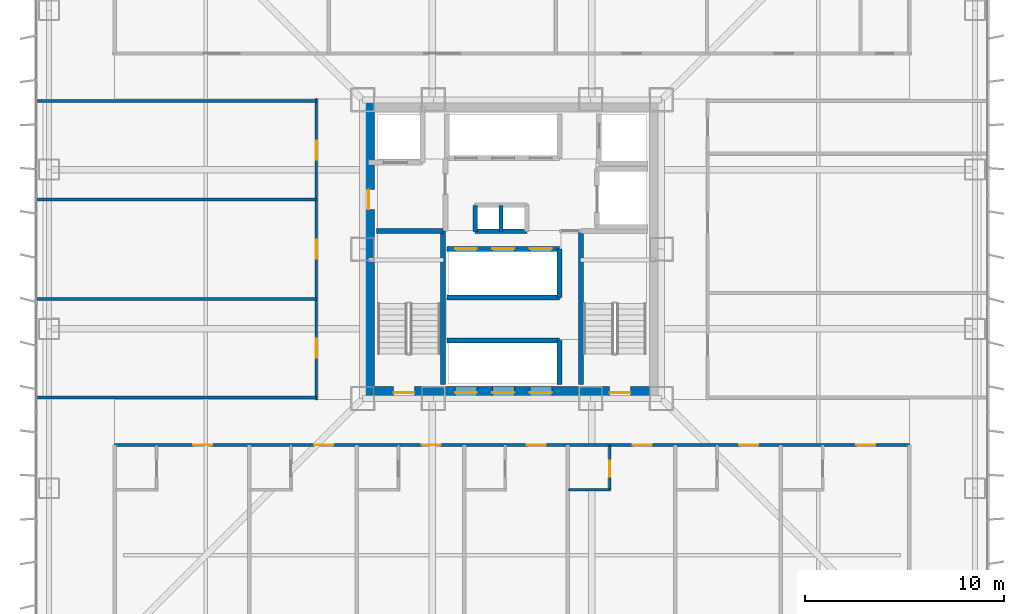
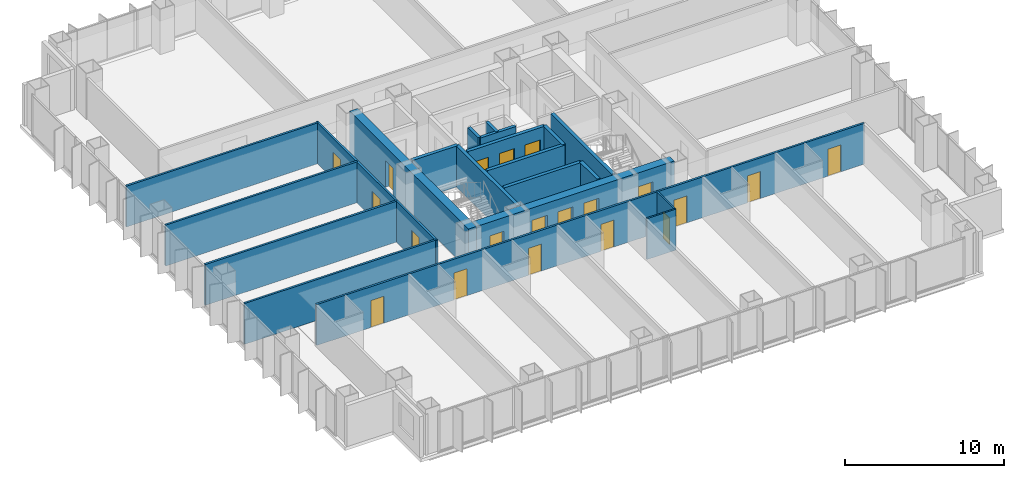
# One storey, part 14 of 19: 21 walls, 20 doors, 20 openings.
"""IFC4 building model written with IfcOpenShell, lengths in metres."""

from ifc_helpers import new_model, si_unit, direction, frame, frame_2d, origin, place, context, subcontext, project, spatial, rectangle, extrude, material, layer, layer_set, type_object, element, fill, save


model = new_model("IFC4")

# Units and contexts
model_context = context("Model", 3, precision=1e-05, world=origin(), true_north=direction((0.0, 1.0)))
body_context = subcontext(model_context, "Body", "Model", "MODEL_VIEW")
ifc_project = project(units=[si_unit("LENGTHUNIT", "METRE"), si_unit("AREAUNIT", "SQUARE_METRE"), si_unit("VOLUMEUNIT", "CUBIC_METRE"), si_unit("PLANEANGLEUNIT", "RADIAN"), si_unit("MASSUNIT", "GRAM", prefix="KILO")], contexts=[model_context])

# Site, building, storey
site_placement = place(None, origin())
site = spatial("IfcSite", under=ifc_project, at=site_placement, CompositionType="ELEMENT")
building_placement = place(site_placement, origin())
building = spatial("IfcBuilding", under=site, at=building_placement, Name="Trevonay Congress Spire", CompositionType="ELEMENT")
storey_placement = place(building_placement, frame((0.0, 0.0, 79.5)))
storey = spatial("IfcBuildingStorey", under=building, at=storey_placement, Name="L20", CompositionType="ELEMENT", Elevation=79.5)

# Wall, opening, door
ifc_material_1 = material(Name="Concrete C40/50", Category="concrete")
ifc_layer_1 = layer(ifc_material_1, 0.1201171875, Name="Concrete C40/50")
ifc_layer_set_1 = layer_set([ifc_layer_1], Name="Concrete C40/50")
wall_type_1 = type_object("IfcWallType", Name="WAL-BATH-120", PredefinedType="PLUMBINGWALL", material=ifc_layer_set_1)
wall_1_placement = place(storey_placement, frame((4.89990234375, -12.080078125, 0.0), z_axis=(0.0, 0.0, 1.0), x_axis=(0.0, 1.0, 0.0)))
wall_1 = element("IfcWall", 1, at=wall_1_placement, inside=storey, type_object=wall_type_1, Name="L20 interior wall WH-L20S-BS5", PredefinedType="PLUMBINGWALL", context=body_context, shape_type="SweptSolid", body=[
    extrude(rectangle(XDim=2.25, YDim=0.1201171875, at=frame_2d((1.125, 0.0))), origin(), (0.0, 0.0, 1.0), 3.14990234375),
])
opening_1_placement = place(wall_1_placement, frame((0.64990234375, 0.0, 0.0)))
opening_1 = element("IfcOpeningElement", 2, at=opening_1_placement, cuts=wall_1, Name="Opening D11", PredefinedType="OPENING", context=body_context, shape_type="SweptSolid", body=[
    extrude(rectangle(XDim=0.800048828125, YDim=2.050048828125, at=frame_2d((0.39990234375, 1.02490234375))), frame((0.0, 0.070068359375, 0.0), z_axis=(0.0, -1.0, 0.0), x_axis=(1.0, 0.0, 0.0)), (0.0, 0.0, 1.0), 0.14013671875),
])
ifc_material_2 = material(Name="Pale Anodised Aluminium EN AW-6063-T6", Category="aluminium")
door_type_1 = type_object("IfcDoorType", Name="DOR-BATH-80", OperationType="NOTDEFINED", PredefinedType="DOOR", material=ifc_material_2)
door_1_placement = place(opening_1_placement, origin())
door_1 = element("IfcDoor", 3, at=door_1_placement, inside=storey, type_object=door_type_1, Name="L20 En-suite Bathroom Door", OperationType="SINGLE_SWING_LEFT", OverallHeight=2.050048828125, OverallWidth=0.800048828125, PredefinedType="DOOR", context=body_context, shape_type="SweptSolid", body=[
    extrude(rectangle(XDim=0.800048828125, YDim=2.050048828125, at=frame_2d((0.39990234375, 1.02490234375))), frame((0.0, 0.02490234375, 0.0), z_axis=(0.0, -1.0, 0.0), x_axis=(1.0, 0.0, 0.0)), (0.0, 0.0, 1.0), 0.050048828125),
])
fill(opening_1, door_1)

# Wall
wall_2_placement = place(storey_placement, frame((2.830078125, -12.080078125, 0.0), z_axis=(0.0, 0.0, 1.0), x_axis=(1.0, 0.0, 0.0)))
element("IfcWall", 4, at=wall_2_placement, inside=storey, type_object=wall_type_1, Name="L20 interior wall WH-L20S-BF5", PredefinedType="PLUMBINGWALL", context=body_context, shape_type="SweptSolid", body=[
    extrude(rectangle(XDim=2.099853515625, YDim=0.1201171875, at=frame_2d((1.0498046875, 0.0))), origin(), (0.0, 0.0, 1.0), 3.14990234375),
])

# Wall, openings, doors
ifc_material_3 = material(Name="Concrete C60/75", Category="concrete")
ifc_layer_2 = layer(ifc_material_3, 0.60009765625, Name="Concrete C60/75")
ifc_layer_set_2 = layer_set([ifc_layer_2], Name="Concrete C60/75")
wall_type_2 = type_object("IfcWallType", Name="WAL-CORE-600", PredefinedType="SHEAR", material=ifc_layer_set_2)
wall_3_placement = place(storey_placement, frame((-7.5, -7.199951171875, 0.0), z_axis=(0.0, 0.0, 1.0), x_axis=(1.0, 0.0, 0.0)))
wall_3 = element("IfcWall", 5, at=wall_3_placement, inside=storey, type_object=wall_type_2, Name="L20 South structural core shear wall", PredefinedType="SHEAR", context=body_context, shape_type="SweptSolid", body=[
    extrude(rectangle(XDim=15.0, YDim=0.60009765625, at=frame_2d((7.5, 0.0))), origin(), (0.0, 0.0, 1.0), 3.14990234375),
])
opening_2_placement = place(wall_3_placement, frame((1.550048828125, 0.0, 0.0)))
opening_2 = element("IfcOpeningElement", 6, at=opening_2_placement, cuts=wall_3, Name="Opening D05", PredefinedType="OPENING", context=body_context, shape_type="SweptSolid", body=[
    extrude(rectangle(XDim=1.050048828125, YDim=2.080078125, at=frame_2d((0.52490234375, 1.0400390625))), frame((0.0, 0.31005859375, 0.0), z_axis=(0.0, -1.0, 0.0), x_axis=(1.0, 0.0, 0.0)), (0.0, 0.0, 1.0), 0.6201171875),
])
opening_3_placement = place(wall_3_placement, frame((12.39990234375, 0.0, 0.0)))
opening_3 = element("IfcOpeningElement", 7, at=opening_3_placement, cuts=wall_3, Name="Opening D05", PredefinedType="OPENING", context=body_context, shape_type="SweptSolid", body=[
    extrude(rectangle(XDim=1.050048828125, YDim=2.080078125, at=frame_2d((0.52490234375, 1.0400390625))), frame((0.0, 0.31005859375, 0.0), z_axis=(0.0, -1.0, 0.0), x_axis=(1.0, 0.0, 0.0)), (0.0, 0.0, 1.0), 0.6201171875),
])
opening_4_placement = place(wall_3_placement, frame((4.639892578125, 0.0, 0.0)))
opening_4 = element("IfcOpeningElement", 8, at=opening_4_placement, cuts=wall_3, Name="Opening LD01", PredefinedType="OPENING", context=body_context, shape_type="SweptSolid", body=[
    extrude(rectangle(XDim=1.10009765625, YDim=2.199951171875, at=frame_2d((0.550048828125, 1.10009765625))), frame((0.0, 0.31005859375, 0.0), z_axis=(0.0, -1.0, 0.0), x_axis=(1.0, 0.0, 0.0)), (0.0, 0.0, 1.0), 0.6201171875),
])
opening_5_placement = place(wall_3_placement, frame((6.52001953125, 0.0, 0.0)))
opening_5 = element("IfcOpeningElement", 9, at=opening_5_placement, cuts=wall_3, Name="Opening LD01", PredefinedType="OPENING", context=body_context, shape_type="SweptSolid", body=[
    extrude(rectangle(XDim=1.10009765625, YDim=2.199951171875, at=frame_2d((0.550048828125, 1.10009765625))), frame((0.0, 0.31005859375, 0.0), z_axis=(0.0, -1.0, 0.0), x_axis=(1.0, 0.0, 0.0)), (0.0, 0.0, 1.0), 0.6201171875),
])
opening_6_placement = place(wall_3_placement, frame((8.39990234375, 0.0, 0.0)))
opening_6 = element("IfcOpeningElement", 10, at=opening_6_placement, cuts=wall_3, Name="Opening LD01", PredefinedType="OPENING", context=body_context, shape_type="SweptSolid", body=[
    extrude(rectangle(XDim=1.10009765625, YDim=2.199951171875, at=frame_2d((0.550048828125, 1.10009765625))), frame((0.0, 0.31005859375, 0.0), z_axis=(0.0, -1.0, 0.0), x_axis=(1.0, 0.0, 0.0)), (0.0, 0.0, 1.0), 0.6201171875),
])
door_type_2 = type_object("IfcDoorType", Name="DOR-LIFT-LD01", OperationType="DOUBLE_DOOR_SLIDING", PredefinedType="DOOR", material=ifc_material_2)
door_2_placement = place(opening_4_placement, origin())
door_2 = element("IfcDoor", 11, at=door_2_placement, inside=storey, type_object=door_type_2, Name="L20 Passenger lift PL-01 landing door", OperationType="DOUBLE_DOOR_SLIDING", OverallHeight=2.199951171875, OverallWidth=1.10009765625, PredefinedType="DOOR", context=body_context, shape_type="SweptSolid", body=[
    extrude(rectangle(XDim=1.10009765625, YDim=2.199951171875, at=frame_2d((0.550048828125, 1.10009765625))), frame((0.0, 0.02490234375, 0.0), z_axis=(0.0, -1.0, 0.0), x_axis=(1.0, 0.0, 0.0)), (0.0, 0.0, 1.0), 0.050048828125),
])
fill(opening_4, door_2)
door_3_placement = place(opening_5_placement, origin())
door_3 = element("IfcDoor", 12, at=door_3_placement, inside=storey, type_object=door_type_2, Name="L20 Passenger lift PL-02 landing door", OperationType="DOUBLE_DOOR_SLIDING", OverallHeight=2.199951171875, OverallWidth=1.10009765625, PredefinedType="DOOR", context=body_context, shape_type="SweptSolid", body=[
    extrude(rectangle(XDim=1.10009765625, YDim=2.199951171875, at=frame_2d((0.550048828125, 1.10009765625))), frame((0.0, 0.02490234375, 0.0), z_axis=(0.0, -1.0, 0.0), x_axis=(1.0, 0.0, 0.0)), (0.0, 0.0, 1.0), 0.050048828125),
])
fill(opening_5, door_3)
door_4_placement = place(opening_6_placement, origin())
door_4 = element("IfcDoor", 13, at=door_4_placement, inside=storey, type_object=door_type_2, Name="L20 Passenger lift PL-03 landing door", OperationType="DOUBLE_DOOR_SLIDING", OverallHeight=2.199951171875, OverallWidth=1.10009765625, PredefinedType="DOOR", context=body_context, shape_type="SweptSolid", body=[
    extrude(rectangle(XDim=1.10009765625, YDim=2.199951171875, at=frame_2d((0.550048828125, 1.10009765625))), frame((0.0, 0.02490234375, 0.0), z_axis=(0.0, -1.0, 0.0), x_axis=(1.0, 0.0, 0.0)), (0.0, 0.0, 1.0), 0.050048828125),
])
fill(opening_6, door_4)
ifc_material_4 = material(Name="Steel ASTM A572 Grade 50", Category="steel")
door_type_3 = type_object("IfcDoorType", Name="DOR-STAIR-110", OperationType="NOTDEFINED", PredefinedType="DOOR", material=ifc_material_4)
door_5_placement = place(opening_2_placement, origin())
door_5 = element("IfcDoor", 14, at=door_5_placement, inside=storey, type_object=door_type_3, Name="L20 Protected Stair ST-1 Door", OperationType="SINGLE_SWING_RIGHT", OverallHeight=2.080078125, OverallWidth=1.050048828125, PredefinedType="DOOR", context=body_context, shape_type="SweptSolid", body=[
    extrude(rectangle(XDim=1.050048828125, YDim=2.080078125, at=frame_2d((0.52490234375, 1.0400390625))), frame((0.0, 0.02490234375, 0.0), z_axis=(0.0, -1.0, 0.0), x_axis=(1.0, 0.0, 0.0)), (0.0, 0.0, 1.0), 0.050048828125),
])
fill(opening_2, door_5)
door_6_placement = place(opening_3_placement, origin())
door_6 = element("IfcDoor", 15, at=door_6_placement, inside=storey, type_object=door_type_3, Name="L20 Protected Stair ST-2 Door", OperationType="SINGLE_SWING_LEFT", OverallHeight=2.080078125, OverallWidth=1.050048828125, PredefinedType="DOOR", context=body_context, shape_type="SweptSolid", body=[
    extrude(rectangle(XDim=1.050048828125, YDim=2.080078125, at=frame_2d((0.52490234375, 1.0400390625))), frame((0.0, 0.02490234375, 0.0), z_axis=(0.0, -1.0, 0.0), x_axis=(1.0, 0.0, 0.0)), (0.0, 0.0, 1.0), 0.050048828125),
])
fill(opening_3, door_6)

# Wall, opening, door
wall_4_placement = place(storey_placement, frame((-7.199951171875, -7.5, 0.0), z_axis=(0.0, 0.0, 1.0), x_axis=(0.0, 1.0, 0.0)))
wall_4 = element("IfcWall", 16, at=wall_4_placement, inside=storey, type_object=wall_type_2, Name="L20 West structural core shear wall", PredefinedType="SHEAR", context=body_context, shape_type="SweptSolid", body=[
    extrude(rectangle(XDim=15.0, YDim=0.60009765625, at=frame_2d((7.5, 0.0))), origin(), (0.0, 0.0, 1.0), 3.14990234375),
])
opening_7_placement = place(wall_4_placement, frame((9.5, 0.0, 0.0)))
opening_7 = element("IfcOpeningElement", 17, at=opening_7_placement, cuts=wall_4, Name="Opening D06", PredefinedType="OPENING", context=body_context, shape_type="SweptSolid", body=[
    extrude(rectangle(XDim=1.0, YDim=2.080078125, at=frame_2d((0.5, 1.0400390625))), frame((0.0, 0.31005859375, 0.0), z_axis=(0.0, -1.0, 0.0), x_axis=(1.0, 0.0, 0.0)), (0.0, 0.0, 1.0), 0.6201171875),
])
door_type_4 = type_object("IfcDoorType", Name="DOR-FIRE-100", OperationType="NOTDEFINED", PredefinedType="DOOR", material=ifc_material_4)
door_7_placement = place(opening_7_placement, origin())
door_7 = element("IfcDoor", 18, at=door_7_placement, inside=storey, type_object=door_type_4, Name="L20 Firefighting Lift Lobby West Corridor Door", OperationType="SINGLE_SWING_RIGHT", OverallHeight=2.080078125, OverallWidth=1.0, PredefinedType="DOOR", context=body_context, shape_type="SweptSolid", body=[
    extrude(rectangle(XDim=1.0, YDim=2.080078125, at=frame_2d((0.5, 1.0400390625))), frame((0.0, 0.02490234375, 0.0), z_axis=(0.0, -1.0, 0.0), x_axis=(1.0, 0.0, 0.0)), (0.0, 0.0, 1.0), 0.050048828125),
])
fill(opening_7, door_7)

# Wall, openings, doors
ifc_layer_3 = layer(ifc_material_1, 0.14990234375, Name="Concrete C40/50")
ifc_layer_set_3 = layer_set([ifc_layer_3], Name="Concrete C40/50")
wall_type_3 = type_object("IfcWallType", Name="WAL-CORR-150", PredefinedType="PARTITIONING", material=ifc_layer_set_3)
wall_5_placement = place(storey_placement, frame((-19.949951171875, -9.830078125, 0.0), z_axis=(0.0, 0.0, 1.0), x_axis=(1.0, 0.0, 0.0)))
wall_5 = element("IfcWall", 19, at=wall_5_placement, inside=storey, type_object=wall_type_3, Name="L20 interior wall WH-L20S-COR", PredefinedType="PARTITIONING", context=body_context, shape_type="SweptSolid", body=[
    extrude(rectangle(XDim=39.89990234375, YDim=0.14990234375, at=frame_2d((19.949951171875, 0.0))), origin(), (0.0, 0.0, 1.0), 3.14990234375),
])
opening_8_placement = place(wall_5_placement, frame((3.945068359375, 0.0, 0.0)))
opening_8 = element("IfcOpeningElement", 20, at=opening_8_placement, cuts=wall_5, Name="Opening D08", PredefinedType="OPENING", context=body_context, shape_type="SweptSolid", body=[
    extrude(rectangle(XDim=0.949951171875, YDim=2.080078125, at=frame_2d((0.47509765625, 1.0400390625))), frame((0.0, 0.0849609375, 0.0), z_axis=(0.0, -1.0, 0.0), x_axis=(1.0, 0.0, 0.0)), (0.0, 0.0, 1.0), 0.169921875),
])
opening_9_placement = place(wall_5_placement, frame((10.02001953125, 0.0, 0.0)))
opening_9 = element("IfcOpeningElement", 21, at=opening_9_placement, cuts=wall_5, Name="Opening D08", PredefinedType="OPENING", context=body_context, shape_type="SweptSolid", body=[
    extrude(rectangle(XDim=0.949951171875, YDim=2.080078125, at=frame_2d((0.47509765625, 1.0400390625))), frame((0.0, 0.0849609375, 0.0), z_axis=(0.0, -1.0, 0.0), x_axis=(1.0, 0.0, 0.0)), (0.0, 0.0, 1.0), 0.169921875),
])
opening_10_placement = place(wall_5_placement, frame((15.419921875, 0.0, 0.0)))
opening_10 = element("IfcOpeningElement", 22, at=opening_10_placement, cuts=wall_5, Name="Opening D08", PredefinedType="OPENING", context=body_context, shape_type="SweptSolid", body=[
    extrude(rectangle(XDim=0.949951171875, YDim=2.080078125, at=frame_2d((0.47509765625, 1.0400390625))), frame((0.0, 0.0849609375, 0.0), z_axis=(0.0, -1.0, 0.0), x_axis=(1.0, 0.0, 0.0)), (0.0, 0.0, 1.0), 0.169921875),
])
opening_11_placement = place(wall_5_placement, frame((20.702392578125, 0.0, 0.0)))
opening_11 = element("IfcOpeningElement", 23, at=opening_11_placement, cuts=wall_5, Name="Opening D08", PredefinedType="OPENING", context=body_context, shape_type="SweptSolid", body=[
    extrude(rectangle(XDim=0.949951171875, YDim=2.080078125, at=frame_2d((0.47509765625, 1.0400390625))), frame((0.0, 0.0849609375, 0.0), z_axis=(0.0, -1.0, 0.0), x_axis=(1.0, 0.0, 0.0)), (0.0, 0.0, 1.0), 0.169921875),
])
opening_12_placement = place(wall_5_placement, frame((26.02001953125, 0.0, 0.0)))
opening_12 = element("IfcOpeningElement", 24, at=opening_12_placement, cuts=wall_5, Name="Opening D08", PredefinedType="OPENING", context=body_context, shape_type="SweptSolid", body=[
    extrude(rectangle(XDim=0.949951171875, YDim=2.080078125, at=frame_2d((0.47509765625, 1.0400390625))), frame((0.0, 0.0849609375, 0.0), z_axis=(0.0, -1.0, 0.0), x_axis=(1.0, 0.0, 0.0)), (0.0, 0.0, 1.0), 0.169921875),
])
opening_13_placement = place(wall_5_placement, frame((31.3701171875, 0.0, 0.0)))
opening_13 = element("IfcOpeningElement", 25, at=opening_13_placement, cuts=wall_5, Name="Opening D08", PredefinedType="OPENING", context=body_context, shape_type="SweptSolid", body=[
    extrude(rectangle(XDim=0.949951171875, YDim=2.080078125, at=frame_2d((0.47509765625, 1.0400390625))), frame((0.0, 0.0849609375, 0.0), z_axis=(0.0, -1.0, 0.0), x_axis=(1.0, 0.0, 0.0)), (0.0, 0.0, 1.0), 0.169921875),
])
opening_14_placement = place(wall_5_placement, frame((37.2451171875, 0.0, 0.0)))
opening_14 = element("IfcOpeningElement", 26, at=opening_14_placement, cuts=wall_5, Name="Opening D08", PredefinedType="OPENING", context=body_context, shape_type="SweptSolid", body=[
    extrude(rectangle(XDim=0.949951171875, YDim=2.080078125, at=frame_2d((0.47509765625, 1.0400390625))), frame((0.0, 0.0849609375, 0.0), z_axis=(0.0, -1.0, 0.0), x_axis=(1.0, 0.0, 0.0)), (0.0, 0.0, 1.0), 0.169921875),
])
door_type_5 = type_object("IfcDoorType", Name="DOR-SUITE-95", OperationType="NOTDEFINED", PredefinedType="DOOR", material=ifc_material_2)
door_8_placement = place(opening_8_placement, origin())
door_8 = element("IfcDoor", 27, at=door_8_placement, inside=storey, type_object=door_type_5, Name="L20 Corner Hotel Suite Entrance Door", OperationType="SINGLE_SWING_RIGHT", OverallHeight=2.080078125, OverallWidth=0.949951171875, PredefinedType="DOOR", context=body_context, shape_type="SweptSolid", body=[
    extrude(rectangle(XDim=0.949951171875, YDim=2.080078125, at=frame_2d((0.47509765625, 1.0400390625))), frame((0.0, 0.02490234375, 0.0), z_axis=(0.0, -1.0, 0.0), x_axis=(1.0, 0.0, 0.0)), (0.0, 0.0, 1.0), 0.050048828125),
])
fill(opening_8, door_8)
door_9_placement = place(opening_9_placement, origin())
door_9 = element("IfcDoor", 28, at=door_9_placement, inside=storey, type_object=door_type_5, Name="L20 Corner Hotel Suite Entrance Door", OperationType="SINGLE_SWING_LEFT", OverallHeight=2.080078125, OverallWidth=0.949951171875, PredefinedType="DOOR", context=body_context, shape_type="SweptSolid", body=[
    extrude(rectangle(XDim=0.949951171875, YDim=2.080078125, at=frame_2d((0.47509765625, 1.0400390625))), frame((0.0, 0.02490234375, 0.0), z_axis=(0.0, -1.0, 0.0), x_axis=(1.0, 0.0, 0.0)), (0.0, 0.0, 1.0), 0.050048828125),
])
fill(opening_9, door_9)
door_10_placement = place(opening_10_placement, origin())
door_10 = element("IfcDoor", 29, at=door_10_placement, inside=storey, type_object=door_type_5, Name="L20 Corner Hotel Suite Entrance Door", OperationType="SINGLE_SWING_RIGHT", OverallHeight=2.080078125, OverallWidth=0.949951171875, PredefinedType="DOOR", context=body_context, shape_type="SweptSolid", body=[
    extrude(rectangle(XDim=0.949951171875, YDim=2.080078125, at=frame_2d((0.47509765625, 1.0400390625))), frame((0.0, 0.02490234375, 0.0), z_axis=(0.0, -1.0, 0.0), x_axis=(1.0, 0.0, 0.0)), (0.0, 0.0, 1.0), 0.050048828125),
])
fill(opening_10, door_10)
door_11_placement = place(opening_11_placement, origin())
door_11 = element("IfcDoor", 30, at=door_11_placement, inside=storey, type_object=door_type_5, Name="L20 Corner Hotel Suite Entrance Door", OperationType="SINGLE_SWING_LEFT", OverallHeight=2.080078125, OverallWidth=0.949951171875, PredefinedType="DOOR", context=body_context, shape_type="SweptSolid", body=[
    extrude(rectangle(XDim=0.949951171875, YDim=2.080078125, at=frame_2d((0.47509765625, 1.0400390625))), frame((0.0, 0.02490234375, 0.0), z_axis=(0.0, -1.0, 0.0), x_axis=(1.0, 0.0, 0.0)), (0.0, 0.0, 1.0), 0.050048828125),
])
fill(opening_11, door_11)
door_12_placement = place(opening_12_placement, origin())
door_12 = element("IfcDoor", 31, at=door_12_placement, inside=storey, type_object=door_type_5, Name="L20 Corner Hotel Suite Entrance Door", OperationType="SINGLE_SWING_RIGHT", OverallHeight=2.080078125, OverallWidth=0.949951171875, PredefinedType="DOOR", context=body_context, shape_type="SweptSolid", body=[
    extrude(rectangle(XDim=0.949951171875, YDim=2.080078125, at=frame_2d((0.47509765625, 1.0400390625))), frame((0.0, 0.02490234375, 0.0), z_axis=(0.0, -1.0, 0.0), x_axis=(1.0, 0.0, 0.0)), (0.0, 0.0, 1.0), 0.050048828125),
])
fill(opening_12, door_12)
door_13_placement = place(opening_13_placement, origin())
door_13 = element("IfcDoor", 32, at=door_13_placement, inside=storey, type_object=door_type_5, Name="L20 Corner Hotel Suite Entrance Door", OperationType="SINGLE_SWING_LEFT", OverallHeight=2.080078125, OverallWidth=0.949951171875, PredefinedType="DOOR", context=body_context, shape_type="SweptSolid", body=[
    extrude(rectangle(XDim=0.949951171875, YDim=2.080078125, at=frame_2d((0.47509765625, 1.0400390625))), frame((0.0, 0.02490234375, 0.0), z_axis=(0.0, -1.0, 0.0), x_axis=(1.0, 0.0, 0.0)), (0.0, 0.0, 1.0), 0.050048828125),
])
fill(opening_13, door_13)
door_14_placement = place(opening_14_placement, origin())
door_14 = element("IfcDoor", 33, at=door_14_placement, inside=storey, type_object=door_type_5, Name="L20 Corner Hotel Suite Entrance Door", OperationType="SINGLE_SWING_RIGHT", OverallHeight=2.080078125, OverallWidth=0.949951171875, PredefinedType="DOOR", context=body_context, shape_type="SweptSolid", body=[
    extrude(rectangle(XDim=0.949951171875, YDim=2.080078125, at=frame_2d((0.47509765625, 1.0400390625))), frame((0.0, 0.02490234375, 0.0), z_axis=(0.0, -1.0, 0.0), x_axis=(1.0, 0.0, 0.0)), (0.0, 0.0, 1.0), 0.050048828125),
])
fill(opening_14, door_14)

wall_6_placement = place(storey_placement, frame((-9.830078125, -7.570068359375, 0.0), z_axis=(0.0, 0.0, 1.0), x_axis=(0.0, 1.0, 0.0)))
wall_6 = element("IfcWall", 34, at=wall_6_placement, inside=storey, type_object=wall_type_3, Name="L20 interior wall WP-L20W-COR", PredefinedType="PARTITIONING", context=body_context, shape_type="SweptSolid", body=[
    extrude(rectangle(XDim=15.14013671875, YDim=0.14990234375, at=frame_2d((7.570068359375, 0.0))), origin(), (0.0, 0.0, 1.0), 3.14990234375),
])
opening_15_placement = place(wall_6_placement, frame((2.1201171875, 0.0, 0.0)))
opening_15 = element("IfcOpeningElement", 35, at=opening_15_placement, cuts=wall_6, Name="Opening D07", PredefinedType="OPENING", context=body_context, shape_type="SweptSolid", body=[
    extrude(rectangle(XDim=0.949951171875, YDim=2.06005859375, at=frame_2d((0.47509765625, 1.030029296875))), frame((0.0, 0.0849609375, 0.0), z_axis=(0.0, -1.0, 0.0), x_axis=(1.0, 0.0, 0.0)), (0.0, 0.0, 1.0), 0.169921875),
])
opening_16_placement = place(wall_6_placement, frame((7.094970703125, 0.0, 0.0)))
opening_16 = element("IfcOpeningElement", 36, at=opening_16_placement, cuts=wall_6, Name="Opening D07", PredefinedType="OPENING", context=body_context, shape_type="SweptSolid", body=[
    extrude(rectangle(XDim=0.949951171875, YDim=2.06005859375, at=frame_2d((0.47509765625, 1.030029296875))), frame((0.0, 0.0849609375, 0.0), z_axis=(0.0, -1.0, 0.0), x_axis=(1.0, 0.0, 0.0)), (0.0, 0.0, 1.0), 0.169921875),
])
opening_17_placement = place(wall_6_placement, frame((12.070068359375, 0.0, 0.0)))
opening_17 = element("IfcOpeningElement", 37, at=opening_17_placement, cuts=wall_6, Name="Opening D07", PredefinedType="OPENING", context=body_context, shape_type="SweptSolid", body=[
    extrude(rectangle(XDim=0.949951171875, YDim=2.06005859375, at=frame_2d((0.47509765625, 1.030029296875))), frame((0.0, 0.0849609375, 0.0), z_axis=(0.0, -1.0, 0.0), x_axis=(1.0, 0.0, 0.0)), (0.0, 0.0, 1.0), 0.169921875),
])
door_type_6 = type_object("IfcDoorType", Name="DOR-OFFICE-95", OperationType="NOTDEFINED", PredefinedType="DOOR", material=ifc_material_2)
door_15_placement = place(opening_15_placement, origin())
door_15 = element("IfcDoor", 38, at=door_15_placement, inside=storey, type_object=door_type_6, Name="L20 Ambassador Briefing Room Door", OperationType="SINGLE_SWING_RIGHT", OverallHeight=2.06005859375, OverallWidth=0.949951171875, PredefinedType="DOOR", context=body_context, shape_type="SweptSolid", body=[
    extrude(rectangle(XDim=0.949951171875, YDim=2.06005859375, at=frame_2d((0.47509765625, 1.030029296875))), frame((0.0, 0.02490234375, 0.0), z_axis=(0.0, -1.0, 0.0), x_axis=(1.0, 0.0, 0.0)), (0.0, 0.0, 1.0), 0.050048828125),
])
fill(opening_15, door_15)
door_16_placement = place(opening_16_placement, origin())
door_16 = element("IfcDoor", 39, at=door_16_placement, inside=storey, type_object=door_type_6, Name="L20 Security Command Office Door", OperationType="SINGLE_SWING_LEFT", OverallHeight=2.06005859375, OverallWidth=0.949951171875, PredefinedType="DOOR", context=body_context, shape_type="SweptSolid", body=[
    extrude(rectangle(XDim=0.949951171875, YDim=2.06005859375, at=frame_2d((0.47509765625, 1.030029296875))), frame((0.0, 0.02490234375, 0.0), z_axis=(0.0, -1.0, 0.0), x_axis=(1.0, 0.0, 0.0)), (0.0, 0.0, 1.0), 0.050048828125),
])
fill(opening_16, door_16)
door_17_placement = place(opening_17_placement, origin())
door_17 = element("IfcDoor", 40, at=door_17_placement, inside=storey, type_object=door_type_6, Name="L20 Private Dining Room Door", OperationType="SINGLE_SWING_RIGHT", OverallHeight=2.06005859375, OverallWidth=0.949951171875, PredefinedType="DOOR", context=body_context, shape_type="SweptSolid", body=[
    extrude(rectangle(XDim=0.949951171875, YDim=2.06005859375, at=frame_2d((0.47509765625, 1.030029296875))), frame((0.0, 0.02490234375, 0.0), z_axis=(0.0, -1.0, 0.0), x_axis=(1.0, 0.0, 0.0)), (0.0, 0.0, 1.0), 0.050048828125),
])
fill(opening_17, door_17)

# Walls
ifc_layer_4 = layer(ifc_material_1, 0.14990234375, Name="Concrete C40/50")
ifc_layer_set_4 = layer_set([ifc_layer_4], Name="Concrete C40/50")
wall_type_4 = type_object("IfcWallType", Name="WAL-PART-150", PredefinedType="PARTITIONING", material=ifc_layer_set_4)
for number, where, z_axis, x_axis, name in (
    (41, (-23.820068359375, -7.449951171875, 0.0), (0.0, 0.0, 1.0), (1.0, 0.0, 0.0), "L20 interior wall WP-L20W-DIV1"),
    (42, (-23.820068359375, -2.5, 0.0), (0.0, 0.0, 1.0), (1.0, 0.0, 0.0), "L20 interior wall WP-L20W-DIV2"),
    (43, (-23.820068359375, 2.5, 0.0), (0.0, 0.0, 1.0), (1.0, 0.0, 0.0), "L20 interior wall WP-L20W-DIV3"),
    (44, (-23.820068359375, 7.449951171875, 0.0), (0.0, 0.0, 1.0), (1.0, 0.0, 0.0), "L20 interior wall WP-L20W-DIV4"),
):
    element("IfcWall", number, at=place(storey_placement, frame(where, z_axis=z_axis, x_axis=x_axis)), inside=storey, type_object=wall_type_4, Name=name, PredefinedType="PARTITIONING", context=body_context, shape_type="SweptSolid", body=[
        extrude(rectangle(XDim=13.989990234375, YDim=0.14990234375, at=frame_2d((6.9951171875, 0.0))), origin(), (0.0, 0.0, 1.0), 3.14990234375),
    ])
ifc_layer_5 = layer(ifc_material_1, 0.219970703125, Name="Concrete C40/50")
ifc_layer_set_5 = layer_set([ifc_layer_5], Name="Concrete C40/50")
wall_type_5 = type_object("IfcWallType", Name="WAL-SHAFT-220", PredefinedType="PARTITIONING", material=ifc_layer_set_5)
wall_7_placement = place(storey_placement, frame((-1.85009765625, 0.89990234375, 0.0), z_axis=(0.0, 0.0, 1.0), x_axis=(1.0, 0.0, 0.0)))
element("IfcWall", 45, at=wall_7_placement, inside=storey, type_object=wall_type_5, Name="L20 interior shaft wall WSH-L20-RSR-S", PredefinedType="PARTITIONING", context=body_context, shape_type="SweptSolid", body=[
    extrude(rectangle(XDim=2.60009765625, YDim=0.219970703125, at=frame_2d((1.300048828125, 0.0))), origin(), (0.0, 0.0, 1.0), 3.14990234375),
])
for number, where, z_axis, x_axis, name in (
    (46, (-0.550048828125, 0.89990234375, 0.0), (0.0, 0.0, 1.0), (0.0, 1.0, 0.0), "L20 interior shaft wall WSH-L20-RSR-M"),
    (47, (-1.85009765625, 0.89990234375, 0.0), (0.0, 0.0, 1.0), (0.0, 1.0, 0.0), "L20 interior shaft wall WSH-L20-RSR-W"),
):
    element("IfcWall", number, at=place(storey_placement, frame(where, z_axis=z_axis, x_axis=x_axis)), inside=storey, type_object=wall_type_5, Name=name, PredefinedType="PARTITIONING", context=body_context, shape_type="SweptSolid", body=[
        extrude(rectangle(XDim=1.300048828125, YDim=0.219970703125, at=frame_2d((0.64990234375, 0.0))), origin(), (0.0, 0.0, 1.0), 3.14990234375),
    ])
ifc_layer_6 = layer(ifc_material_1, 0.25, Name="Concrete C40/50")
ifc_layer_set_6 = layer_set([ifc_layer_6], Name="Concrete C40/50")
wall_type_6 = type_object("IfcWallType", Name="WAL-SHAFT-250", PredefinedType="SHEAR", material=ifc_layer_set_6)
wall_8_placement = place(storey_placement, frame((-3.260009765625, -4.580078125, 0.0), z_axis=(0.0, 0.0, 1.0), x_axis=(1.0, 0.0, 0.0)))
element("IfcWall", 48, at=wall_8_placement, inside=storey, type_object=wall_type_6, Name="L20 interior shaft wall WSH-L20-B1-N", PredefinedType="SHEAR", context=body_context, shape_type="SweptSolid", body=[
    extrude(rectangle(XDim=5.639892578125, YDim=0.25, at=frame_2d((2.81982421875, 0.0))), origin(), (0.0, 0.0, 1.0), 3.14990234375),
])
wall_9_placement = place(storey_placement, frame((2.3798828125, -6.800048828125, 0.0), z_axis=(0.0, 0.0, 1.0), x_axis=(0.0, 1.0, 0.0)))
element("IfcWall", 49, at=wall_9_placement, inside=storey, type_object=wall_type_6, Name="L20 interior shaft wall WSH-L20-B1-E", PredefinedType="SHEAR", context=body_context, shape_type="SweptSolid", body=[
    extrude(rectangle(XDim=2.219970703125, YDim=0.25, at=frame_2d((1.10986328125, 0.0))), origin(), (0.0, 0.0, 1.0), 3.14990234375),
])

# Wall, openings, doors
wall_10_placement = place(storey_placement, frame((-3.260009765625, 0.02001953125, 0.0), z_axis=(0.0, 0.0, 1.0), x_axis=(1.0, 0.0, 0.0)))
wall_10 = element("IfcWall", 50, at=wall_10_placement, inside=storey, type_object=wall_type_6, Name="L20 interior shaft wall WSH-L20-B2-N", PredefinedType="SHEAR", context=body_context, shape_type="SweptSolid", body=[
    extrude(rectangle(XDim=5.639892578125, YDim=0.25, at=frame_2d((2.81982421875, 0.0))), origin(), (0.0, 0.0, 1.0), 3.14990234375),
])
opening_18_placement = place(wall_10_placement, frame((0.39990234375, 0.0, 0.0)))
opening_18 = element("IfcOpeningElement", 51, at=opening_18_placement, cuts=wall_10, Name="Opening LD02", PredefinedType="OPENING", context=body_context, shape_type="SweptSolid", body=[
    extrude(rectangle(XDim=1.10009765625, YDim=2.199951171875, at=frame_2d((0.550048828125, 1.10009765625))), frame((0.0, 0.135009765625, 0.0), z_axis=(0.0, -1.0, 0.0), x_axis=(1.0, 0.0, 0.0)), (0.0, 0.0, 1.0), 0.27001953125),
])
opening_19_placement = place(wall_10_placement, frame((2.280029296875, 0.0, 0.0)))
opening_19 = element("IfcOpeningElement", 52, at=opening_19_placement, cuts=wall_10, Name="Opening LD02", PredefinedType="OPENING", context=body_context, shape_type="SweptSolid", body=[
    extrude(rectangle(XDim=1.10009765625, YDim=2.199951171875, at=frame_2d((0.550048828125, 1.10009765625))), frame((0.0, 0.135009765625, 0.0), z_axis=(0.0, -1.0, 0.0), x_axis=(1.0, 0.0, 0.0)), (0.0, 0.0, 1.0), 0.27001953125),
])
opening_20_placement = place(wall_10_placement, frame((4.159912109375, 0.0, 0.0)))
opening_20 = element("IfcOpeningElement", 53, at=opening_20_placement, cuts=wall_10, Name="Opening LD02", PredefinedType="OPENING", context=body_context, shape_type="SweptSolid", body=[
    extrude(rectangle(XDim=1.10009765625, YDim=2.199951171875, at=frame_2d((0.550048828125, 1.10009765625))), frame((0.0, 0.135009765625, 0.0), z_axis=(0.0, -1.0, 0.0), x_axis=(1.0, 0.0, 0.0)), (0.0, 0.0, 1.0), 0.27001953125),
])
door_type_7 = type_object("IfcDoorType", Name="DOR-LIFT-LD02", OperationType="DOUBLE_DOOR_SLIDING", PredefinedType="DOOR", material=ifc_material_2)
door_18_placement = place(opening_18_placement, origin())
door_18 = element("IfcDoor", 54, at=door_18_placement, inside=storey, type_object=door_type_7, Name="L20 Passenger lift PL-04 landing door", OperationType="DOUBLE_DOOR_SLIDING", OverallHeight=2.199951171875, OverallWidth=1.10009765625, PredefinedType="DOOR", context=body_context, shape_type="SweptSolid", body=[
    extrude(rectangle(XDim=1.10009765625, YDim=2.199951171875, at=frame_2d((0.550048828125, 1.10009765625))), frame((0.0, 0.02490234375, 0.0), z_axis=(0.0, -1.0, 0.0), x_axis=(1.0, 0.0, 0.0)), (0.0, 0.0, 1.0), 0.050048828125),
])
fill(opening_18, door_18)
door_19_placement = place(opening_19_placement, origin())
door_19 = element("IfcDoor", 55, at=door_19_placement, inside=storey, type_object=door_type_7, Name="L20 Passenger lift PL-05 landing door", OperationType="DOUBLE_DOOR_SLIDING", OverallHeight=2.199951171875, OverallWidth=1.10009765625, PredefinedType="DOOR", context=body_context, shape_type="SweptSolid", body=[
    extrude(rectangle(XDim=1.10009765625, YDim=2.199951171875, at=frame_2d((0.550048828125, 1.10009765625))), frame((0.0, 0.02490234375, 0.0), z_axis=(0.0, -1.0, 0.0), x_axis=(1.0, 0.0, 0.0)), (0.0, 0.0, 1.0), 0.050048828125),
])
fill(opening_19, door_19)
door_20_placement = place(opening_20_placement, origin())
door_20 = element("IfcDoor", 56, at=door_20_placement, inside=storey, type_object=door_type_7, Name="L20 Passenger lift PL-06 landing door", OperationType="DOUBLE_DOOR_SLIDING", OverallHeight=2.199951171875, OverallWidth=1.10009765625, PredefinedType="DOOR", context=body_context, shape_type="SweptSolid", body=[
    extrude(rectangle(XDim=1.10009765625, YDim=2.199951171875, at=frame_2d((0.550048828125, 1.10009765625))), frame((0.0, 0.02490234375, 0.0), z_axis=(0.0, -1.0, 0.0), x_axis=(1.0, 0.0, 0.0)), (0.0, 0.0, 1.0), 0.050048828125),
])
fill(opening_20, door_20)

# Walls
wall_11_placement = place(storey_placement, frame((-3.260009765625, -2.419921875, 0.0), z_axis=(0.0, 0.0, 1.0), x_axis=(1.0, 0.0, 0.0)))
element("IfcWall", 57, at=wall_11_placement, inside=storey, type_object=wall_type_6, Name="L20 interior shaft wall WSH-L20-B2-S", PredefinedType="SHEAR", context=body_context, shape_type="SweptSolid", body=[
    extrude(rectangle(XDim=5.639892578125, YDim=0.25, at=frame_2d((2.81982421875, 0.0))), origin(), (0.0, 0.0, 1.0), 3.14990234375),
])
wall_12_placement = place(storey_placement, frame((2.3798828125, -2.419921875, 0.0), z_axis=(0.0, 0.0, 1.0), x_axis=(0.0, 1.0, 0.0)))
element("IfcWall", 58, at=wall_12_placement, inside=storey, type_object=wall_type_6, Name="L20 interior shaft wall WSH-L20-B2-E", PredefinedType="SHEAR", context=body_context, shape_type="SweptSolid", body=[
    extrude(rectangle(XDim=2.43994140625, YDim=0.25, at=frame_2d((1.219970703125, 0.0))), origin(), (0.0, 0.0, 1.0), 3.14990234375),
])
ifc_layer_7 = layer(ifc_material_1, 0.25, Name="Concrete C40/50")
ifc_layer_set_7 = layer_set([ifc_layer_7], Name="Concrete C40/50")
wall_type_7 = type_object("IfcWallType", Name="WAL-SHAFT-LB-250", PredefinedType="SHEAR", material=ifc_layer_set_7)
wall_13_placement = place(storey_placement, frame((-3.469970703125, -6.800048828125, 0.0), z_axis=(0.0, 0.0, 1.0), x_axis=(0.0, 1.0, 0.0)))
element("IfcWall", 59, at=wall_13_placement, inside=storey, type_object=wall_type_7, Name="L20 interior shaft wall WSH-L20-ST1-E", PredefinedType="SHEAR", context=body_context, shape_type="SweptSolid", body=[
    extrude(rectangle(XDim=7.719970703125, YDim=0.25, at=frame_2d((3.85986328125, 0.0))), origin(), (0.0, 0.0, 1.0), 3.14990234375),
])
wall_14_placement = place(storey_placement, frame((-6.800048828125, 0.919921875, 0.0), z_axis=(0.0, 0.0, 1.0), x_axis=(1.0, 0.0, 0.0)))
element("IfcWall", 60, at=wall_14_placement, inside=storey, type_object=wall_type_7, Name="L20 interior shaft wall WSH-L20-ST1-N", PredefinedType="SHEAR", context=body_context, shape_type="SweptSolid", body=[
    extrude(rectangle(XDim=3.330078125, YDim=0.25, at=frame_2d((1.6650390625, 0.0))), origin(), (0.0, 0.0, 1.0), 3.14990234375),
])
wall_15_placement = place(storey_placement, frame((3.469970703125, -6.800048828125, 0.0), z_axis=(0.0, 0.0, 1.0), x_axis=(0.0, 1.0, 0.0)))
element("IfcWall", 61, at=wall_15_placement, inside=storey, type_object=wall_type_7, Name="L20 interior shaft wall WSH-L20-ST2-W", PredefinedType="SHEAR", context=body_context, shape_type="SweptSolid", body=[
    extrude(rectangle(XDim=7.719970703125, YDim=0.25, at=frame_2d((3.85986328125, 0.0))), origin(), (0.0, 0.0, 1.0), 3.14990234375),
])

save(model, "model.ifc")
